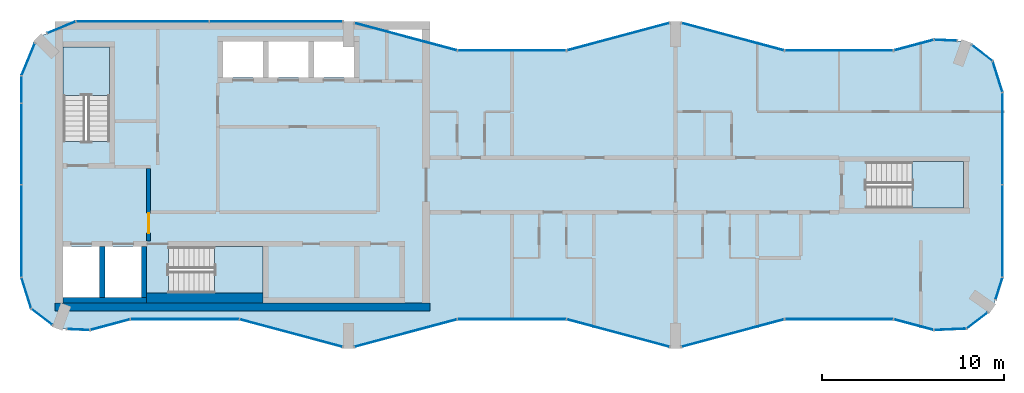
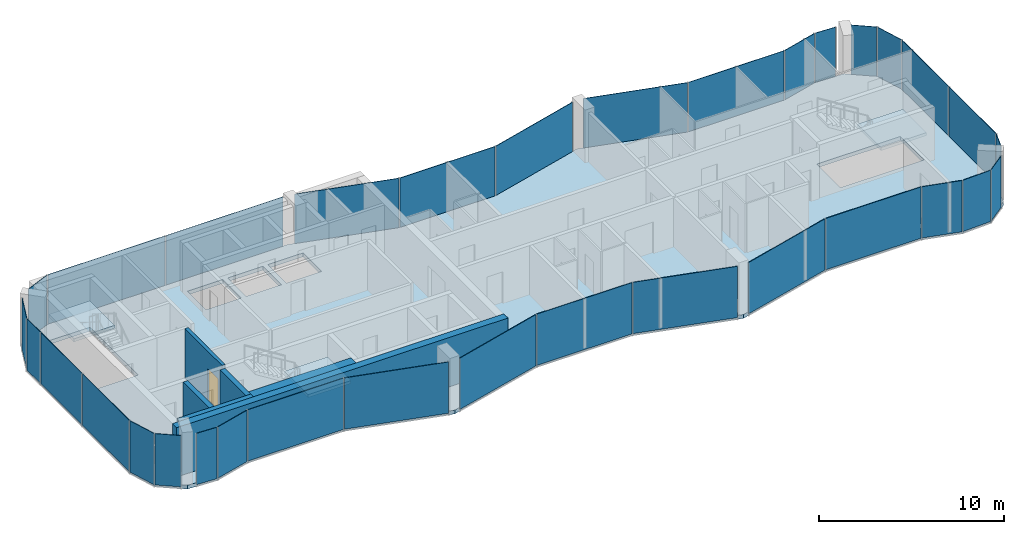
# One storey, part 6 of 10: 33 plates, 6 walls, 4 slabs, 1 door, 1 opening, 32 elements without a shape of their own.
"""IFC4 building model written with IfcOpenShell, lengths in metres."""

from ifc_helpers import new_model, si_unit, direction, frame, frame_2d, origin, origin_2d, place, context, subcontext, project, spatial, polyline, rectangle, outline, extrude, material, layer, layer_set, type_object, element, fill, aggregate, save


model = new_model("IFC4")

# Units and contexts
model_context = context("Model", 3, precision=1e-05, world=origin(), true_north=direction((0.0, 1.0)))
body_context = subcontext(model_context, "Body", "Model", "MODEL_VIEW")
ifc_project = project(units=[si_unit("LENGTHUNIT", "METRE"), si_unit("AREAUNIT", "SQUARE_METRE"), si_unit("VOLUMEUNIT", "CUBIC_METRE"), si_unit("PLANEANGLEUNIT", "RADIAN"), si_unit("MASSUNIT", "GRAM", prefix="KILO")], contexts=[model_context])

# Site, building, storey
site_placement = place(None, origin())
site = spatial("IfcSite", under=ifc_project, at=site_placement, CompositionType="ELEMENT")
building_placement = place(site_placement, origin())
building = spatial("IfcBuilding", under=site, at=building_placement, Name="Plateau Cross Towers", CompositionType="ELEMENT")
storey_placement = place(building_placement, frame((0.0, 0.0, 270.39990234375)))
storey = spatial("IfcBuildingStorey", under=building, at=storey_placement, Name="L71", CompositionType="ELEMENT", Elevation=270.39990234375)

# Curtain wall, plate
ifc_material_1 = material(Name="Dark low-iron glass", Category="glass")
ifc_layer_1 = layer(ifc_material_1, 0.239990234375)
ifc_layer_set_1 = layer_set([ifc_layer_1], Name="Dark low-iron glass")
curtain_wall_type_1 = type_object("IfcCurtainWallType", Name="Curtain wall flush unitised CW-B", PredefinedType="NOTDEFINED", material=ifc_layer_set_1)
curtain_wall_1_placement = place(storey_placement, origin())
curtain_wall_1 = element("IfcCurtainWall", 1, at=curtain_wall_1_placement, inside=storey, type_object=curtain_wall_type_1, Name="ENV/A/L71/A502_10", PredefinedType="NOTDEFINED")
ifc_layer_2 = layer(ifc_material_1, 0.031982421875)
ifc_layer_set_2 = layer_set([ifc_layer_2], Name="Dark low-iron glass")
plate_type_1 = type_object("IfcPlateType", Name="Glass panel 32 flush unitised", PredefinedType="CURTAIN_PANEL", material=ifc_layer_set_2)
plate_1_placement = place(storey_placement, frame((51.125, 1.05078125, -0.1298828125), z_axis=(0.0, 0.0, 1.0), x_axis=(0.999043701491, 0.043722791671, 0.0)))
plate_1 = element("IfcPlate", 2, at=plate_1_placement, type_object=plate_type_1, Name="CW-B panel 1", PredefinedType="CURTAIN_PANEL", context=body_context, shape_type="SweptSolid", body=[
    extrude(rectangle(XDim=1.744140625, YDim=0.031982421875, at=origin_2d()), origin(), (0.0, 0.0, 1.0), 3.3798828125),
])
aggregate(curtain_wall_1, [plate_1])

curtain_wall_2_placement = place(storey_placement, origin())
curtain_wall_2 = element("IfcCurtainWall", 3, at=curtain_wall_2_placement, inside=storey, type_object=curtain_wall_type_1, Name="ENV/A/L71/A520_11", PredefinedType="NOTDEFINED")
plate_2_placement = place(storey_placement, frame((52.60986328125, 1.5380859375, -0.1298828125), z_axis=(0.0, 0.0, 1.0), x_axis=(0.793315514529, 0.608810721331, 0.0)))
plate_2 = element("IfcPlate", 4, at=plate_2_placement, type_object=plate_type_1, Name="CW-B panel 1", PredefinedType="CURTAIN_PANEL", context=body_context, shape_type="SweptSolid", body=[
    extrude(rectangle(XDim=1.41162109375, YDim=0.031982421875, at=origin_2d()), origin(), (0.0, 0.0, 1.0), 3.3798828125),
])
aggregate(curtain_wall_2, [plate_2])

curtain_wall_3_placement = place(storey_placement, origin())
curtain_wall_3 = element("IfcCurtainWall", 5, at=curtain_wall_3_placement, inside=storey, type_object=curtain_wall_type_1, Name="ENV/A/L71/A536_27", PredefinedType="NOTDEFINED")
plate_3_placement = place(storey_placement, frame((53.805419921875, 3.292236328125, -0.1298828125), z_axis=(0.0, 0.0, 1.0), x_axis=(0.300686174994, 0.95372313811, 0.0)))
plate_3 = element("IfcPlate", 6, at=plate_3_placement, type_object=plate_type_1, Name="CW-B panel 1", PredefinedType="CURTAIN_PANEL", context=body_context, shape_type="SweptSolid", body=[
    extrude(rectangle(XDim=1.233642578125, YDim=0.031982421875, at=origin_2d()), origin(), (0.0, 0.0, 1.0), 3.3798828125),
])
aggregate(curtain_wall_3, [plate_3])

# Curtain wall, plates
curtain_wall_4_placement = place(storey_placement, origin())
curtain_wall_4 = element("IfcCurtainWall", 7, at=curtain_wall_4_placement, inside=storey, type_object=curtain_wall_type_1, Name="ENV/A/L71/A540_39", PredefinedType="NOTDEFINED")
plate_4_placement = place(storey_placement, frame((54.0, 6.45458984375, -0.1298828125), z_axis=(0.0, 0.0, 1.0), x_axis=(0.0, 1.0, 0.0)))
plate_4 = element("IfcPlate", 8, at=plate_4_placement, type_object=plate_type_1, Name="CW-B panel 1", PredefinedType="CURTAIN_PANEL", context=body_context, shape_type="SweptSolid", body=[
    extrude(rectangle(XDim=5.03076171875, YDim=0.031982421875, at=origin_2d()), origin(), (0.0, 0.0, 1.0), 3.3798828125),
])
plate_5_placement = place(storey_placement, frame((54.0, 11.54541015625, -0.1298828125), z_axis=(0.0, 0.0, 1.0), x_axis=(0.0, 1.0, 0.0)))
plate_5 = element("IfcPlate", 9, at=plate_5_placement, type_object=plate_type_1, Name="CW-B panel 2", PredefinedType="CURTAIN_PANEL", context=body_context, shape_type="SweptSolid", body=[
    extrude(rectangle(XDim=5.03076171875, YDim=0.031982421875, at=origin_2d()), origin(), (0.0, 0.0, 1.0), 3.3798828125),
])
aggregate(curtain_wall_4, [plate_4, plate_5])

# Curtain wall, plate
curtain_wall_5_placement = place(storey_placement, origin())
curtain_wall_5 = element("IfcCurtainWall", 10, at=curtain_wall_5_placement, inside=storey, type_object=curtain_wall_type_1, Name="ENV/A/L71/A540_141", PredefinedType="NOTDEFINED")
plate_6_placement = place(storey_placement, frame((53.728759765625, 14.951171875, -0.1298828125), z_axis=(0.0, 0.0, 1.0), x_axis=(-0.300686174994, 0.95372313811, 0.0)))
plate_6 = element("IfcPlate", 11, at=plate_6_placement, type_object=plate_type_1, Name="CW-B panel 1", PredefinedType="CURTAIN_PANEL", context=body_context, shape_type="SweptSolid", body=[
    extrude(rectangle(XDim=1.744140625, YDim=0.031982421875, at=origin_2d()), origin(), (0.0, 0.0, 1.0), 3.3798828125),
])
aggregate(curtain_wall_5, [plate_6])

curtain_wall_6_placement = place(storey_placement, origin())
curtain_wall_6 = element("IfcCurtainWall", 12, at=curtain_wall_6_placement, inside=storey, type_object=curtain_wall_type_1, Name="ENV/A/L71/A535_158", PredefinedType="NOTDEFINED")
plate_7_placement = place(storey_placement, frame((52.873779296875, 16.25927734375, -0.1298828125), z_axis=(0.0, 0.0, 1.0), x_axis=(-0.793315514529, 0.608810721331, 0.0)))
plate_7 = element("IfcPlate", 13, at=plate_7_placement, type_object=plate_type_1, Name="CW-B panel 1", PredefinedType="CURTAIN_PANEL", context=body_context, shape_type="SweptSolid", body=[
    extrude(rectangle(XDim=1.41162109375, YDim=0.031982421875, at=origin_2d()), origin(), (0.0, 0.0, 1.0), 3.3798828125),
])
aggregate(curtain_wall_6, [plate_7])

curtain_wall_7_placement = place(storey_placement, origin())
curtain_wall_7 = element("IfcCurtainWall", 14, at=curtain_wall_7_placement, inside=storey, type_object=curtain_wall_type_1, Name="ENV/A/L71/A515_169", PredefinedType="NOTDEFINED")
plate_8_placement = place(storey_placement, frame((50.8701171875, 16.96044921875, -0.1298828125), z_axis=(0.0, 0.0, 1.0), x_axis=(-0.999043701491, 0.043722791671, 0.0)))
plate_8 = element("IfcPlate", 15, at=plate_8_placement, type_object=plate_type_1, Name="CW-B panel 1", PredefinedType="CURTAIN_PANEL", context=body_context, shape_type="SweptSolid", body=[
    extrude(rectangle(XDim=1.233642578125, YDim=0.031982421875, at=origin_2d()), origin(), (0.0, 0.0, 1.0), 3.3798828125),
])
aggregate(curtain_wall_7, [plate_8])

# Curtain wall, plates
curtain_wall_8_placement = place(storey_placement, origin())
curtain_wall_8 = element("IfcCurtainWall", 16, at=curtain_wall_8_placement, inside=storey, type_object=curtain_wall_type_1, Name="ENV/A/L71/A177_180", PredefinedType="NOTDEFINED")
plate_9_placement = place(storey_placement, frame((14.02490234375, 18.0, -0.1298828125), z_axis=(0.0, 0.0, 1.0), x_axis=(-1.0, 0.0, 0.0)))
plate_9 = element("IfcPlate", 17, at=plate_9_placement, type_object=plate_type_1, Name="CW-B panel 1", PredefinedType="CURTAIN_PANEL", context=body_context, shape_type="SweptSolid", body=[
    extrude(rectangle(XDim=7.2900390625, YDim=0.031982421875, at=origin_2d()), origin(), (0.0, 0.0, 1.0), 3.3798828125),
])
plate_10_placement = place(storey_placement, frame((6.675048828125, 18.0, -0.1298828125), z_axis=(0.0, 0.0, 1.0), x_axis=(-1.0, 0.0, 0.0)))
plate_10 = element("IfcPlate", 18, at=plate_10_placement, type_object=plate_type_1, Name="CW-B panel 2", PredefinedType="CURTAIN_PANEL", context=body_context, shape_type="SweptSolid", body=[
    extrude(rectangle(XDim=7.2900390625, YDim=0.031982421875, at=origin_2d()), origin(), (0.0, 0.0, 1.0), 3.3798828125),
])
aggregate(curtain_wall_8, [plate_9, plate_10])

# Curtain wall, plate
curtain_wall_9_placement = place(storey_placement, origin())
curtain_wall_9 = element("IfcCurtainWall", 19, at=curtain_wall_9_placement, inside=storey, type_object=curtain_wall_type_1, Name="ENV/A/L71/A30_180", PredefinedType="NOTDEFINED")
plate_11_placement = place(storey_placement, frame((2.20166015625, 17.66943359375, -0.1298828125), z_axis=(0.0, 0.0, 1.0), x_axis=(-0.923879457699, -0.382683612978, 0.0)))
plate_11 = element("IfcPlate", 20, at=plate_11_placement, type_object=plate_type_1, Name="CW-B panel 1", PredefinedType="CURTAIN_PANEL", context=body_context, shape_type="SweptSolid", body=[
    extrude(rectangle(XDim=1.668212890625, YDim=0.031982421875, at=origin_2d()), origin(), (0.0, 0.0, 1.0), 3.3798828125),
])
aggregate(curtain_wall_9, [plate_11])

curtain_wall_10_placement = place(storey_placement, origin())
curtain_wall_10 = element("IfcCurtainWall", 21, at=curtain_wall_10_placement, inside=storey, type_object=curtain_wall_type_1, Name="ENV/A/L71/A7_168", PredefinedType="NOTDEFINED")
plate_12_placement = place(storey_placement, frame((0.3740234375, 15.90283203125, -0.1298828125), z_axis=(0.0, 0.0, 1.0), x_axis=(-0.382683612978, -0.923879457699, 0.0)))
plate_12 = element("IfcPlate", 22, at=plate_12_placement, type_object=plate_type_1, Name="CW-B panel 1", PredefinedType="CURTAIN_PANEL", context=body_context, shape_type="SweptSolid", body=[
    extrude(rectangle(XDim=1.894775390625, YDim=0.031982421875, at=origin_2d()), origin(), (0.0, 0.0, 1.0), 3.3798828125),
])
aggregate(curtain_wall_10, [plate_12])

# Curtain wall, plates
curtain_wall_11_placement = place(storey_placement, origin())
curtain_wall_11 = element("IfcCurtainWall", 23, at=curtain_wall_11_placement, inside=storey, type_object=curtain_wall_type_1, Name="ENV/A/L71/A0_150", PredefinedType="NOTDEFINED")
plate_13_placement = place(storey_placement, frame((0.0, 14.25, -0.1298828125), z_axis=(0.0, 0.0, 1.0), x_axis=(0.0, -1.0, 0.0)))
plate_13 = element("IfcPlate", 24, at=plate_13_placement, type_object=plate_type_1, Name="CW-B panel 1", PredefinedType="CURTAIN_PANEL", context=body_context, shape_type="SweptSolid", body=[
    extrude(rectangle(XDim=1.43994140625, YDim=0.031982421875, at=origin_2d()), origin(), (0.0, 0.0, 1.0), 3.3798828125),
])
plate_14_placement = place(storey_placement, frame((0.0, 11.25, -0.1298828125), z_axis=(0.0, 0.0, 1.0), x_axis=(0.0, -1.0, 0.0)))
plate_14 = element("IfcPlate", 25, at=plate_14_placement, type_object=plate_type_1, Name="CW-B panel 2", PredefinedType="CURTAIN_PANEL", context=body_context, shape_type="SweptSolid", body=[
    extrude(rectangle(XDim=4.43994140625, YDim=0.031982421875, at=origin_2d()), origin(), (0.0, 0.0, 1.0), 3.3798828125),
])
plate_15_placement = place(storey_placement, frame((0.0, 6.45458984375, -0.1298828125), z_axis=(0.0, 0.0, 1.0), x_axis=(0.0, -1.0, 0.0)))
plate_15 = element("IfcPlate", 26, at=plate_15_placement, type_object=plate_type_1, Name="CW-B panel 3", PredefinedType="CURTAIN_PANEL", context=body_context, shape_type="SweptSolid", body=[
    extrude(rectangle(XDim=5.03076171875, YDim=0.031982421875, at=origin_2d()), origin(), (0.0, 0.0, 1.0), 3.3798828125),
])
aggregate(curtain_wall_11, [plate_13, plate_14, plate_15])

# Curtain wall, plate
curtain_wall_12_placement = place(storey_placement, origin())
curtain_wall_12 = element("IfcCurtainWall", 27, at=curtain_wall_12_placement, inside=storey, type_object=curtain_wall_type_1, Name="ENV/A/L71/A0_39", PredefinedType="NOTDEFINED")
plate_16_placement = place(storey_placement, frame((0.271240234375, 3.048828125, -0.1298828125), z_axis=(0.0, 0.0, 1.0), x_axis=(0.300686174994, -0.95372313811, 0.0)))
plate_16 = element("IfcPlate", 28, at=plate_16_placement, type_object=plate_type_1, Name="CW-B panel 1", PredefinedType="CURTAIN_PANEL", context=body_context, shape_type="SweptSolid", body=[
    extrude(rectangle(XDim=1.744140625, YDim=0.031982421875, at=origin_2d()), origin(), (0.0, 0.0, 1.0), 3.3798828125),
])
aggregate(curtain_wall_12, [plate_16])

curtain_wall_13_placement = place(storey_placement, origin())
curtain_wall_13 = element("IfcCurtainWall", 29, at=curtain_wall_13_placement, inside=storey, type_object=curtain_wall_type_1, Name="ENV/A/L71/A5_22", PredefinedType="NOTDEFINED")
plate_17_placement = place(storey_placement, frame((1.126220703125, 1.74072265625, -0.1298828125), z_axis=(0.0, 0.0, 1.0), x_axis=(0.793315514529, -0.608810721331, 0.0)))
plate_17 = element("IfcPlate", 30, at=plate_17_placement, type_object=plate_type_1, Name="CW-B panel 1", PredefinedType="CURTAIN_PANEL", context=body_context, shape_type="SweptSolid", body=[
    extrude(rectangle(XDim=1.41162109375, YDim=0.031982421875, at=origin_2d()), origin(), (0.0, 0.0, 1.0), 3.3798828125),
])
aggregate(curtain_wall_13, [plate_17])

curtain_wall_14_placement = place(storey_placement, origin())
curtain_wall_14 = element("IfcCurtainWall", 31, at=curtain_wall_14_placement, inside=storey, type_object=curtain_wall_type_1, Name="ENV/A/L71/A25_11", PredefinedType="NOTDEFINED")
plate_18_placement = place(storey_placement, frame((3.1298828125, 1.03955078125, -0.1298828125), z_axis=(0.0, 0.0, 1.0), x_axis=(0.999043701491, -0.043722791671, 0.0)))
plate_18 = element("IfcPlate", 32, at=plate_18_placement, type_object=plate_type_1, Name="CW-B panel 1", PredefinedType="CURTAIN_PANEL", context=body_context, shape_type="SweptSolid", body=[
    extrude(rectangle(XDim=1.233642578125, YDim=0.031982421875, at=origin_2d()), origin(), (0.0, 0.0, 1.0), 3.3798828125),
])
aggregate(curtain_wall_14, [plate_18])

ifc_layer_3 = layer(ifc_material_1, 0.260009765625)
ifc_layer_set_3 = layer_set([ifc_layer_3], Name="Dark low-iron glass")
curtain_wall_type_2 = type_object("IfcCurtainWallType", Name="Curtain wall fluted unitised CW-A", PredefinedType="NOTDEFINED", material=ifc_layer_set_3)
curtain_wall_15_placement = place(storey_placement, origin())
curtain_wall_15 = element("IfcCurtainWall", 33, at=curtain_wall_15_placement, inside=storey, type_object=curtain_wall_type_2, Name="ENV/A/L71/A38_10", PredefinedType="NOTDEFINED")
ifc_layer_4 = layer(ifc_material_1, 0.035888671875)
ifc_layer_set_4 = layer_set([ifc_layer_4], Name="Dark low-iron glass")
plate_type_2 = type_object("IfcPlateType", Name="Glass panel 36 fluted unitised", PredefinedType="CURTAIN_PANEL", material=ifc_layer_set_4)
plate_19_placement = place(storey_placement, frame((4.887939453125, 1.30908203125, -0.1298828125), z_axis=(0.0, 0.0, 1.0), x_axis=(0.965957962328, 0.258699081978, 0.0)))
plate_19 = element("IfcPlate", 34, at=plate_19_placement, type_object=plate_type_2, Name="CW-A panel 1", PredefinedType="CURTAIN_PANEL", context=body_context, shape_type="SweptSolid", body=[
    extrude(rectangle(XDim=2.2421875, YDim=0.035888671875, at=origin_2d()), origin(), (0.0, 0.0, 1.0), 3.3798828125),
])
aggregate(curtain_wall_15, [plate_19])

curtain_wall_16_placement = place(storey_placement, origin())
curtain_wall_16 = element("IfcCurtainWall", 35, at=curtain_wall_16_placement, inside=storey, type_object=curtain_wall_type_2, Name="ENV/A/L71/A60_16", PredefinedType="NOTDEFINED")
plate_20_placement = place(storey_placement, frame((9.0, 1.60693359375, -0.1298828125), z_axis=(0.0, 0.0, 1.0), x_axis=(1.0, 0.0, 0.0)))
plate_20 = element("IfcPlate", 36, at=plate_20_placement, type_object=plate_type_2, Name="CW-A panel 1", PredefinedType="CURTAIN_PANEL", context=body_context, shape_type="SweptSolid", body=[
    extrude(rectangle(XDim=5.93994140625, YDim=0.035888671875, at=origin_2d()), origin(), (0.0, 0.0, 1.0), 3.3798828125),
])
aggregate(curtain_wall_16, [plate_20])

curtain_wall_17_placement = place(storey_placement, origin())
curtain_wall_17 = element("IfcCurtainWall", 37, at=curtain_wall_17_placement, inside=storey, type_object=curtain_wall_type_2, Name="ENV/A/L71/A120_16", PredefinedType="NOTDEFINED")
plate_21_placement = place(storey_placement, frame((14.841064453125, 0.845947265625, -0.1298828125), z_axis=(0.0, 0.0, 1.0), x_axis=(0.965957983404, -0.258699003279, 0.0)))
plate_21 = element("IfcPlate", 38, at=plate_21_placement, type_object=plate_type_2, Name="CW-A panel 1", PredefinedType="CURTAIN_PANEL", context=body_context, shape_type="SweptSolid", body=[
    extrude(rectangle(XDim=5.822265625, YDim=0.035888671875, at=origin_2d()), origin(), (0.0, 0.0, 1.0), 3.3798828125),
])
aggregate(curtain_wall_17, [plate_21])

curtain_wall_18_placement = place(storey_placement, origin())
curtain_wall_18 = element("IfcCurtainWall", 39, at=curtain_wall_18_placement, inside=storey, type_object=curtain_wall_type_2, Name="ENV/A/L71/A183_1", PredefinedType="NOTDEFINED")
plate_22_placement = place(storey_placement, frame((21.158935546875, 0.845947265625, -0.1298828125), z_axis=(0.0, 0.0, 1.0), x_axis=(0.965957983404, 0.258699003279, 0.0)))
plate_22 = element("IfcPlate", 40, at=plate_22_placement, type_object=plate_type_2, Name="CW-A panel 1", PredefinedType="CURTAIN_PANEL", context=body_context, shape_type="SweptSolid", body=[
    extrude(rectangle(XDim=5.822265625, YDim=0.035888671875, at=origin_2d()), origin(), (0.0, 0.0, 1.0), 3.3798828125),
])
aggregate(curtain_wall_18, [plate_22])

curtain_wall_19_placement = place(storey_placement, origin())
curtain_wall_19 = element("IfcCurtainWall", 41, at=curtain_wall_19_placement, inside=storey, type_object=curtain_wall_type_2, Name="ENV/A/L71/A240_16", PredefinedType="NOTDEFINED")
plate_23_placement = place(storey_placement, frame((27.0, 1.60693359375, -0.1298828125), z_axis=(0.0, 0.0, 1.0), x_axis=(1.0, 0.0, 0.0)))
plate_23 = element("IfcPlate", 42, at=plate_23_placement, type_object=plate_type_2, Name="CW-A panel 1", PredefinedType="CURTAIN_PANEL", context=body_context, shape_type="SweptSolid", body=[
    extrude(rectangle(XDim=5.93994140625, YDim=0.035888671875, at=origin_2d()), origin(), (0.0, 0.0, 1.0), 3.3798828125),
])
aggregate(curtain_wall_19, [plate_23])

curtain_wall_20_placement = place(storey_placement, origin())
curtain_wall_20 = element("IfcCurtainWall", 43, at=curtain_wall_20_placement, inside=storey, type_object=curtain_wall_type_2, Name="ENV/A/L71/A300_16", PredefinedType="NOTDEFINED")
plate_24_placement = place(storey_placement, frame((32.841064453125, 0.845947265625, -0.1298828125), z_axis=(0.0, 0.0, 1.0), x_axis=(0.965957983404, -0.258699003279, 0.0)))
plate_24 = element("IfcPlate", 44, at=plate_24_placement, type_object=plate_type_2, Name="CW-A panel 1", PredefinedType="CURTAIN_PANEL", context=body_context, shape_type="SweptSolid", body=[
    extrude(rectangle(XDim=5.822265625, YDim=0.035888671875, at=origin_2d()), origin(), (0.0, 0.0, 1.0), 3.3798828125),
])
aggregate(curtain_wall_20, [plate_24])

curtain_wall_21_placement = place(storey_placement, origin())
curtain_wall_21 = element("IfcCurtainWall", 45, at=curtain_wall_21_placement, inside=storey, type_object=curtain_wall_type_2, Name="ENV/A/L71/A363_1", PredefinedType="NOTDEFINED")
plate_25_placement = place(storey_placement, frame((39.158935546875, 0.845947265625, -0.1298828125), z_axis=(0.0, 0.0, 1.0), x_axis=(0.965957983404, 0.258699003279, 0.0)))
plate_25 = element("IfcPlate", 46, at=plate_25_placement, type_object=plate_type_2, Name="CW-A panel 1", PredefinedType="CURTAIN_PANEL", context=body_context, shape_type="SweptSolid", body=[
    extrude(rectangle(XDim=5.822265625, YDim=0.035888671875, at=origin_2d()), origin(), (0.0, 0.0, 1.0), 3.3798828125),
])
aggregate(curtain_wall_21, [plate_25])

curtain_wall_22_placement = place(storey_placement, origin())
curtain_wall_22 = element("IfcCurtainWall", 47, at=curtain_wall_22_placement, inside=storey, type_object=curtain_wall_type_2, Name="ENV/A/L71/A420_16", PredefinedType="NOTDEFINED")
plate_26_placement = place(storey_placement, frame((45.0, 1.60693359375, -0.1298828125), z_axis=(0.0, 0.0, 1.0), x_axis=(1.0, 0.0, 0.0)))
plate_26 = element("IfcPlate", 48, at=plate_26_placement, type_object=plate_type_2, Name="CW-A panel 1", PredefinedType="CURTAIN_PANEL", context=body_context, shape_type="SweptSolid", body=[
    extrude(rectangle(XDim=5.93994140625, YDim=0.035888671875, at=origin_2d()), origin(), (0.0, 0.0, 1.0), 3.3798828125),
])
aggregate(curtain_wall_22, [plate_26])

curtain_wall_23_placement = place(storey_placement, origin())
curtain_wall_23 = element("IfcCurtainWall", 49, at=curtain_wall_23_placement, inside=storey, type_object=curtain_wall_type_2, Name="ENV/A/L71/A480_16", PredefinedType="NOTDEFINED")
plate_27_placement = place(storey_placement, frame((49.112060546875, 1.30908203125, -0.1298828125), z_axis=(0.0, 0.0, 1.0), x_axis=(0.965957962328, -0.258699081978, 0.0)))
plate_27 = element("IfcPlate", 50, at=plate_27_placement, type_object=plate_type_2, Name="CW-A panel 1", PredefinedType="CURTAIN_PANEL", context=body_context, shape_type="SweptSolid", body=[
    extrude(rectangle(XDim=2.2421875, YDim=0.035888671875, at=origin_2d()), origin(), (0.0, 0.0, 1.0), 3.3798828125),
])
aggregate(curtain_wall_23, [plate_27])

curtain_wall_24_placement = place(storey_placement, origin())
curtain_wall_24 = element("IfcCurtainWall", 51, at=curtain_wall_24_placement, inside=storey, type_object=curtain_wall_type_2, Name="ENV/A/L71/A502_170", PredefinedType="NOTDEFINED")
plate_28_placement = place(storey_placement, frame((49.112060546875, 16.69091796875, -0.1298828125), z_axis=(0.0, 0.0, 1.0), x_axis=(-0.965957962328, -0.258699081978, 0.0)))
plate_28 = element("IfcPlate", 52, at=plate_28_placement, type_object=plate_type_2, Name="CW-A panel 1", PredefinedType="CURTAIN_PANEL", context=body_context, shape_type="SweptSolid", body=[
    extrude(rectangle(XDim=2.2421875, YDim=0.035888671875, at=origin_2d()), origin(), (0.0, 0.0, 1.0), 3.3798828125),
])
aggregate(curtain_wall_24, [plate_28])

curtain_wall_25_placement = place(storey_placement, origin())
curtain_wall_25 = element("IfcCurtainWall", 53, at=curtain_wall_25_placement, inside=storey, type_object=curtain_wall_type_2, Name="ENV/A/L71/A480_164", PredefinedType="NOTDEFINED")
plate_29_placement = place(storey_placement, frame((45.0, 16.39306640625, -0.1298828125), z_axis=(0.0, 0.0, 1.0), x_axis=(-1.0, 0.0, 0.0)))
plate_29 = element("IfcPlate", 54, at=plate_29_placement, type_object=plate_type_2, Name="CW-A panel 1", PredefinedType="CURTAIN_PANEL", context=body_context, shape_type="SweptSolid", body=[
    extrude(rectangle(XDim=5.93994140625, YDim=0.035888671875, at=origin_2d()), origin(), (0.0, 0.0, 1.0), 3.3798828125),
])
aggregate(curtain_wall_25, [plate_29])

curtain_wall_26_placement = place(storey_placement, origin())
curtain_wall_26 = element("IfcCurtainWall", 55, at=curtain_wall_26_placement, inside=storey, type_object=curtain_wall_type_2, Name="ENV/A/L71/A420_164", PredefinedType="NOTDEFINED")
plate_30_placement = place(storey_placement, frame((39.158935546875, 17.154052734375, -0.1298828125), z_axis=(0.0, 0.0, 1.0), x_axis=(-0.965957983404, 0.258699003279, 0.0)))
plate_30 = element("IfcPlate", 56, at=plate_30_placement, type_object=plate_type_2, Name="CW-A panel 1", PredefinedType="CURTAIN_PANEL", context=body_context, shape_type="SweptSolid", body=[
    extrude(rectangle(XDim=5.822265625, YDim=0.035888671875, at=origin_2d()), origin(), (0.0, 0.0, 1.0), 3.3798828125),
])
aggregate(curtain_wall_26, [plate_30])

curtain_wall_27_placement = place(storey_placement, origin())
curtain_wall_27 = element("IfcCurtainWall", 57, at=curtain_wall_27_placement, inside=storey, type_object=curtain_wall_type_2, Name="ENV/A/L71/A357_179", PredefinedType="NOTDEFINED")
plate_31_placement = place(storey_placement, frame((32.841064453125, 17.154052734375, -0.1298828125), z_axis=(0.0, 0.0, 1.0), x_axis=(-0.965957983404, -0.258699003279, 0.0)))
plate_31 = element("IfcPlate", 58, at=plate_31_placement, type_object=plate_type_2, Name="CW-A panel 1", PredefinedType="CURTAIN_PANEL", context=body_context, shape_type="SweptSolid", body=[
    extrude(rectangle(XDim=5.822265625, YDim=0.035888671875, at=origin_2d()), origin(), (0.0, 0.0, 1.0), 3.3798828125),
])
aggregate(curtain_wall_27, [plate_31])

curtain_wall_28_placement = place(storey_placement, origin())
curtain_wall_28 = element("IfcCurtainWall", 59, at=curtain_wall_28_placement, inside=storey, type_object=curtain_wall_type_2, Name="ENV/A/L71/A300_164", PredefinedType="NOTDEFINED")
plate_32_placement = place(storey_placement, frame((27.0, 16.39306640625, -0.1298828125), z_axis=(0.0, 0.0, 1.0), x_axis=(-1.0, 0.0, 0.0)))
plate_32 = element("IfcPlate", 60, at=plate_32_placement, type_object=plate_type_2, Name="CW-A panel 1", PredefinedType="CURTAIN_PANEL", context=body_context, shape_type="SweptSolid", body=[
    extrude(rectangle(XDim=5.93994140625, YDim=0.035888671875, at=origin_2d()), origin(), (0.0, 0.0, 1.0), 3.3798828125),
])
aggregate(curtain_wall_28, [plate_32])

curtain_wall_29_placement = place(storey_placement, origin())
curtain_wall_29 = element("IfcCurtainWall", 61, at=curtain_wall_29_placement, inside=storey, type_object=curtain_wall_type_2, Name="ENV/A/L71/A240_164", PredefinedType="NOTDEFINED")
plate_33_placement = place(storey_placement, frame((21.158935546875, 17.154052734375, -0.1298828125), z_axis=(0.0, 0.0, 1.0), x_axis=(-0.965957983404, 0.258699003279, 0.0)))
plate_33 = element("IfcPlate", 62, at=plate_33_placement, type_object=plate_type_2, Name="CW-A panel 1", PredefinedType="CURTAIN_PANEL", context=body_context, shape_type="SweptSolid", body=[
    extrude(rectangle(XDim=5.822265625, YDim=0.035888671875, at=origin_2d()), origin(), (0.0, 0.0, 1.0), 3.3798828125),
])
aggregate(curtain_wall_29, [plate_33])

# Slab
ifc_material_2 = material(Name="Concrete C40/50", Category="concrete")
ifc_layer_5 = layer(ifc_material_2, 0.25)
ifc_layer_set_5 = layer_set([ifc_layer_5], Name="Concrete C40/50")
slab_type_1 = type_object("IfcSlabType", Name="Post-tensioned flat plate slab 250", PredefinedType="FLOOR", material=ifc_layer_set_5)
slab_1_placement = place(storey_placement, frame((0.0, 0.0, -0.25)))
element("IfcSlab", 63, at=slab_1_placement, inside=storey, type_object=slab_type_1, Name="SL-A-L71", PredefinedType="FLOOR", context=body_context, shape_type="SweptSolid", body=[
    extrude(outline(polyline([(1.9736328125, 1.090087890625), (0.54248046875, 2.1884765625), (0.0, 3.9091796875), (0.0, 15.0), (0.878662109375, 17.121337890625), (3.0, 18.0), (18.0, 18.0), (24.0, 16.39306640625), (30.0, 16.39306640625), (36.0, 18.0), (42.0, 16.39306640625), (48.0, 16.39306640625), (50.223876953125, 16.98876953125), (52.0263671875, 16.909912109375), (53.45751953125, 15.8115234375), (54.0, 14.0908203125), (54.0, 3.9091796875), (53.45751953125, 2.1884765625), (52.0263671875, 1.090087890625), (50.223876953125, 1.01123046875), (48.0, 1.60693359375), (42.0, 1.60693359375), (36.0, 0.0), (30.0, 1.60693359375), (24.0, 1.60693359375), (18.0, 0.0), (12.0, 1.60693359375), (6.0, 1.60693359375), (3.776123046875, 1.01123046875), (1.9736328125, 1.090087890625)]), holes=[polyline([(4.300048828125, 5.60009765625), (2.300048828125, 5.60009765625), (2.300048828125, 2.800048828125), (4.300048828125, 2.800048828125), (4.300048828125, 5.60009765625)]), polyline([(6.60009765625, 5.60009765625), (4.60009765625, 5.60009765625), (4.60009765625, 2.800048828125), (6.60009765625, 2.800048828125), (6.60009765625, 5.60009765625)]), polyline([(13.300048828125, 5.60009765625), (8.10009765625, 5.60009765625), (8.10009765625, 3.050048828125), (13.300048828125, 3.050048828125), (13.300048828125, 5.60009765625)]), polyline([(51.699951171875, 10.27490234375), (46.5, 10.27490234375), (46.5, 7.72509765625), (51.699951171875, 7.72509765625), (51.699951171875, 10.27490234375)]), polyline([(2.300048828125, 16.60009765625), (2.300048828125, 11.39990234375), (4.85009765625, 11.39990234375), (4.85009765625, 16.60009765625), (2.300048828125, 16.60009765625)]), polyline([(13.300048828125, 16.89990234375), (11.10009765625, 16.89990234375), (11.10009765625, 14.89990234375), (13.300048828125, 14.89990234375), (13.300048828125, 16.89990234375)]), polyline([(15.800048828125, 16.89990234375), (13.60009765625, 16.89990234375), (13.60009765625, 14.89990234375), (15.800048828125, 14.89990234375), (15.800048828125, 16.89990234375)]), polyline([(18.300048828125, 16.89990234375), (16.10009765625, 16.89990234375), (16.10009765625, 14.89990234375), (18.300048828125, 14.89990234375), (18.300048828125, 16.89990234375)])]), origin(), (0.0, 0.0, 1.0), 0.25),
])

# Stair, slab
stair_type = type_object("IfcStairType", Name="ST-TWR", PredefinedType="HALF_TURN_STAIR", material=ifc_material_2)
stair_1_placement = place(storey_placement, origin())
stair_1 = element("IfcStair", 64, at=stair_1_placement, inside=storey, type_object=stair_type, Name="L71 Protected Exit Stair ST-1", PredefinedType="HALF_TURN_STAIR")
ifc_layer_6 = layer(ifc_material_2, 0.199951171875)
ifc_layer_set_6 = layer_set([ifc_layer_6], Name="Concrete C40/50")
slab_type_2 = type_object("IfcSlabType", Name="SL-LANDING", PredefinedType="LANDING", material=ifc_layer_set_6)
slab_2_placement = place(storey_placement, frame((0.0, 0.0, 1.550048828125)))
slab_2 = element("IfcSlab", 65, at=slab_2_placement, type_object=slab_type_2, Name="ST-1 landing 1", PredefinedType="LANDING", context=body_context, shape_type="SweptSolid", body=[
    extrude(outline(polyline([(4.85009765625, 13.919921875), (4.85009765625, 16.60009765625), (2.300048828125, 16.60009765625), (2.300048828125, 13.919921875), (4.85009765625, 13.919921875)])), origin(), (0.0, 0.0, 1.0), 0.199951171875),
])
aggregate(stair_1, [slab_2])

stair_2_placement = place(storey_placement, origin())
stair_2 = element("IfcStair", 66, at=stair_2_placement, inside=storey, type_object=stair_type, Name="L71 Protected Exit Stair ST-2", PredefinedType="HALF_TURN_STAIR")
slab_3_placement = place(storey_placement, frame((0.0, 0.0, 1.550048828125)))
slab_3 = element("IfcSlab", 67, at=slab_3_placement, type_object=slab_type_2, Name="ST-2 landing 1", PredefinedType="LANDING", context=body_context, shape_type="SweptSolid", body=[
    extrude(outline(polyline([(10.6201171875, 3.050048828125), (13.300048828125, 3.050048828125), (13.300048828125, 5.60009765625), (10.6201171875, 5.60009765625), (10.6201171875, 3.050048828125)])), origin(), (0.0, 0.0, 1.0), 0.199951171875),
])
aggregate(stair_2, [slab_3])

stair_3_placement = place(storey_placement, origin())
stair_3 = element("IfcStair", 68, at=stair_3_placement, inside=storey, type_object=stair_type, Name="L71 Protected Exit Stair E", PredefinedType="HALF_TURN_STAIR")
slab_4_placement = place(storey_placement, frame((0.0, 0.0, 1.550048828125)))
slab_4 = element("IfcSlab", 69, at=slab_4_placement, type_object=slab_type_2, Name="ES-E landing 1", PredefinedType="LANDING", context=body_context, shape_type="SweptSolid", body=[
    extrude(outline(polyline([(49.02001953125, 7.72509765625), (51.85009765625, 7.72509765625), (51.85009765625, 10.27490234375), (49.02001953125, 10.27490234375), (49.02001953125, 7.72509765625)])), origin(), (0.0, 0.0, 1.0), 0.199951171875),
])
aggregate(stair_3, [slab_4])

# Wall, opening, door
ifc_material_3 = material(Name="Concrete block, plastered both sides", Category="concrete")
ifc_layer_7 = layer(ifc_material_3, 0.199951171875)
ifc_layer_set_7 = layer_set([ifc_layer_7], Name="Concrete block, plastered both sides")
wall_type_1 = type_object("IfcWallType", Name="Core partition 200", PredefinedType="PARTITIONING", material=ifc_layer_set_7)
wall_1_placement = place(storey_placement, frame((7.0, 5.89990234375, 0.0), z_axis=(0.0, 0.0, 1.0), x_axis=(0.0, 1.0, 0.0)))
wall_1 = element("IfcWall", 70, at=wall_1_placement, inside=storey, type_object=wall_type_1, Name="Core partition", PredefinedType="PARTITIONING", context=body_context, shape_type="SweptSolid", body=[
    extrude(rectangle(XDim=4.0, YDim=0.199951171875, at=frame_2d((2.0, 0.0))), origin(), (0.0, 0.0, 1.0), 3.25),
])
opening_placement = place(wall_1_placement, frame((0.449951171875, 0.0, 0.0)))
opening = element("IfcOpeningElement", 71, at=opening_placement, cuts=wall_1, Name="Opening FFD", PredefinedType="OPENING", context=body_context, shape_type="SweptSolid", body=[
    extrude(rectangle(XDim=1.10009765625, YDim=2.10009765625, at=frame_2d((0.550048828125, 1.050048828125))), frame((0.0, 0.10986328125, 0.0), z_axis=(0.0, -1.0, 0.0), x_axis=(1.0, 0.0, 0.0)), (0.0, 0.0, 1.0), 0.219970703125),
])
ifc_material_4 = material(Name="Steel, fire-resisting leaf", Category="steel")
door_type = type_object("IfcDoorType", Name="Firefighting lobby door 1100", OperationType="NOTDEFINED", PredefinedType="DOOR", material=ifc_material_4)
door_placement = place(opening_placement, origin())
door = element("IfcDoor", 72, at=door_placement, inside=storey, type_object=door_type, Name="Firefighting lobby door FFD", OperationType="SINGLE_SWING_LEFT", OverallHeight=2.10009765625, OverallWidth=1.10009765625, PredefinedType="DOOR", context=body_context, shape_type="SweptSolid", body=[
    extrude(rectangle(XDim=1.10009765625, YDim=2.10009765625, at=frame_2d((0.550048828125, 1.050048828125))), frame((0.0, 0.02490234375, 0.0), z_axis=(0.0, -1.0, 0.0), x_axis=(1.0, 0.0, 0.0)), (0.0, 0.0, 1.0), 0.050048828125),
])
fill(opening, door)

# Walls
ifc_material_5 = material(Name="Concrete C60/75", Category="concrete")
ifc_layer_8 = layer(ifc_material_5, 0.300048828125)
ifc_layer_set_8 = layer_set([ifc_layer_8], Name="Concrete C60/75")
wall_type_2 = type_object("IfcWallType", Name="Core shaft wall 300", PredefinedType="SHEAR", material=ifc_layer_set_8)
wall_2_placement = place(storey_placement, frame((2.300048828125, 2.64990234375, 0.0), z_axis=(0.0, 0.0, 1.0), x_axis=(1.0, 0.0, 0.0)))
element("IfcWall", 73, at=wall_2_placement, inside=storey, type_object=wall_type_2, Name="A-sb-back1@L71", PredefinedType="SHEAR", context=body_context, shape_type="SweptSolid", body=[
    extrude(rectangle(XDim=4.599853515625, YDim=0.300048828125, at=frame_2d((2.2998046875, 0.0))), origin(), (0.0, 0.0, 1.0), 3.25),
])
for number, where, z_axis, x_axis, name in (
    (74, (4.449951171875, 2.800048828125, 0.0), (0.0, 0.0, 1.0), (0.0, 1.0, 0.0), "A-sb-v1@L71"),
    (75, (6.75, 2.800048828125, 0.0), (0.0, 0.0, 1.0), (0.0, 1.0, 0.0), "A-sb-v2@L71"),
):
    element("IfcWall", number, at=place(storey_placement, frame(where, z_axis=z_axis, x_axis=x_axis)), inside=storey, type_object=wall_type_2, Name=name, PredefinedType="SHEAR", context=body_context, shape_type="SweptSolid", body=[
        extrude(rectangle(XDim=2.800048828125, YDim=0.300048828125, at=frame_2d((1.39990234375, 0.0))), origin(), (0.0, 0.0, 1.0), 3.25),
    ])
ifc_layer_9 = layer(ifc_material_5, 0.550048828125)
ifc_layer_set_9 = layer_set([ifc_layer_9], Name="Concrete C60/75")
wall_type_3 = type_object("IfcWallType", Name="Core shaft wall 550", PredefinedType="SHEAR", material=ifc_layer_set_9)
wall_3_placement = place(storey_placement, frame((6.89990234375, 2.77490234375, 0.0), z_axis=(0.0, 0.0, 1.0), x_axis=(1.0, 0.0, 0.0)))
element("IfcWall", 76, at=wall_3_placement, inside=storey, type_object=wall_type_3, Name="A-sb-back2@L71", PredefinedType="SHEAR", context=body_context, shape_type="SweptSolid", body=[
    extrude(rectangle(XDim=6.400146484375, YDim=0.550048828125, at=frame_2d((3.2001953125, 0.0))), origin(), (0.0, 0.0, 1.0), 3.25),
])
ifc_layer_10 = layer(ifc_material_5, 0.449951171875)
ifc_layer_set_10 = layer_set([ifc_layer_10], Name="Concrete C60/75")
wall_type_4 = type_object("IfcWallType", Name="Core shell wall 450", PredefinedType="SHEAR", material=ifc_layer_set_10)
wall_4_placement = place(storey_placement, frame((1.85009765625, 2.27490234375, 0.0), z_axis=(0.0, 0.0, 1.0), x_axis=(1.0, 0.0, 0.0)))
element("IfcWall", 77, at=wall_4_placement, inside=storey, type_object=wall_type_4, Name="A-core-S@L71", PredefinedType="SHEAR", context=body_context, shape_type="SweptSolid", body=[
    extrude(rectangle(XDim=20.64990234375, YDim=0.449951171875, at=frame_2d((10.324951171875, 0.0))), origin(), (0.0, 0.0, 1.0), 3.25),
])

save(model, "model.ifc")
